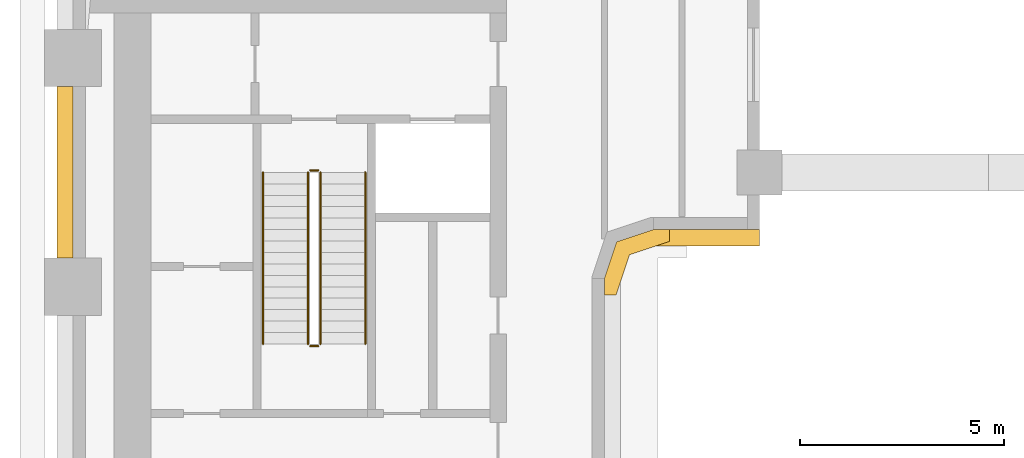
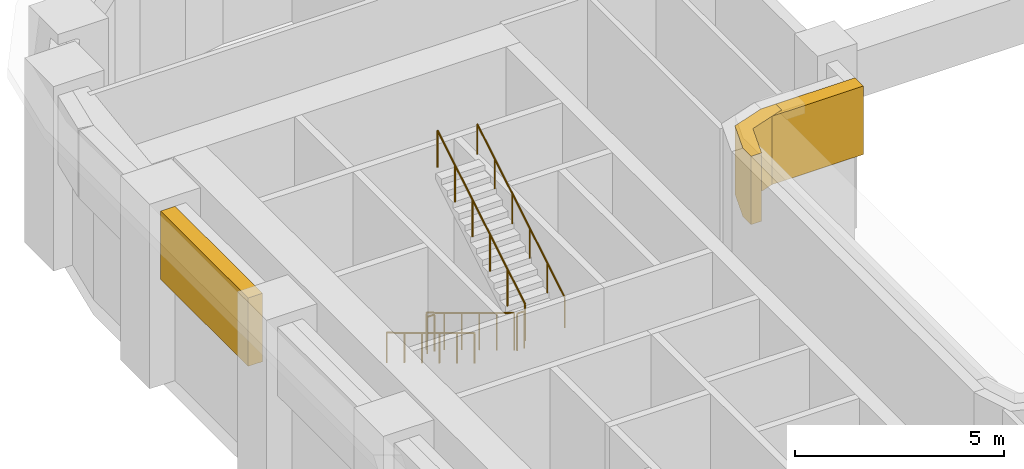
# One storey, part 10 of 14: 6 railings, 3 coverings.
"""IFC4 building model written with IfcOpenShell, lengths in metres."""

from ifc_helpers import new_model, si_unit, direction, frame, origin, origin_2d, place, context, subcontext, project, spatial, polyline, rectangle, circle, outline, extrude, material, type_object, element, save


model = new_model("IFC4")

# Units and contexts
model_context = context("Model", 3, precision=1e-05, world=origin(), true_north=direction((0.0, 1.0)))
body_context = subcontext(model_context, "Body", "Model", "MODEL_VIEW")
ifc_project = project(units=[si_unit("LENGTHUNIT", "METRE"), si_unit("AREAUNIT", "SQUARE_METRE"), si_unit("VOLUMEUNIT", "CUBIC_METRE"), si_unit("PLANEANGLEUNIT", "RADIAN"), si_unit("MASSUNIT", "GRAM", prefix="KILO")], contexts=[model_context])

# Site, building, storey
site_placement = place(None, origin())
site = spatial("IfcSite", under=ifc_project, at=site_placement, CompositionType="ELEMENT")
building_placement = place(site_placement, origin())
building = spatial("IfcBuilding", under=site, at=building_placement, Name="Kiln Ring Residences", CompositionType="ELEMENT")
storey_placement = place(building_placement, frame((0.0, 0.0, 77.89990234375)))
storey = spatial("IfcBuildingStorey", under=building, at=storey_placement, Name="L19", CompositionType="ELEMENT", Elevation=77.89990234375)

# Railings
ifc_material_1 = material(Name="Stainless steel", Category="steel")
railing_type_1 = type_object("IfcRailingType", Name="CORE-STAIR-GUARD", PredefinedType="GUARDRAIL", material=ifc_material_1)
railing_1_placement = place(storey_placement, frame((-22.25, 8.39990234375, 0.1689453125)))
element("IfcRailing", 1, at=railing_1_placement, inside=storey, type_object=railing_type_1, Name="L19 W-STN stair guard 1", PredefinedType="GUARDRAIL", context=body_context, shape_type="SweptSolid", body=[
    extrude(circle(Radius=0.02392578125, at=origin_2d()), frame((0.0, 0.0, 1.076171875), z_axis=(0.0, -0.856476492594, 0.516186030065), x_axis=(1.0, 0.0, 0.0)), (0.0, 0.0, 1.0), 4.90380859375),
    extrude(circle(Radius=0.02099609375, at=origin_2d()), origin(), (0.0, 0.0, 1.0), 1.052001953125),
    extrude(circle(Radius=0.02099609375, at=origin_2d()), frame((0.0, -0.840087890625, 0.50634765625)), (0.0, 0.0, 1.0), 1.052001953125),
    extrude(circle(Radius=0.02099609375, at=origin_2d()), frame((0.0, -1.679931640625, 1.012451171875)), (0.0, 0.0, 1.0), 1.052001953125),
    extrude(circle(Radius=0.02099609375, at=origin_2d()), frame((0.0, -2.52001953125, 1.518798828125)), (0.0, 0.0, 1.0), 1.052001953125),
    extrude(circle(Radius=0.02099609375, at=origin_2d()), frame((0.0, -3.35986328125, 2.02490234375)), (0.0, 0.0, 1.0), 1.052001953125),
    extrude(circle(Radius=0.02099609375, at=origin_2d()), frame((0.0, -4.199951171875, 2.53125)), (0.0, 0.0, 1.0), 1.052001953125),
])
railing_2_placement = place(storey_placement, frame((-22.199951171875, 4.14990234375, 2.7001953125)))
element("IfcRailing", 2, at=railing_2_placement, inside=storey, type_object=railing_type_1, Name="L19 W-STN stair guard 2", PredefinedType="GUARDRAIL", context=body_context, shape_type="SweptSolid", body=[
    extrude(circle(Radius=0.02392578125, at=origin_2d()), frame((0.0, 0.0, 1.076171875), z_axis=(1.0, 0.0, 0.0), x_axis=(0.0, 1.0, 0.0)), (0.0, 0.0, 1.0), 0.199951171875),
    extrude(circle(Radius=0.02099609375, at=origin_2d()), origin(), (0.0, 0.0, 1.0), 1.052001953125),
    extrude(circle(Radius=0.02099609375, at=origin_2d()), frame((0.199951171875, 0.0, 0.0)), (0.0, 0.0, 1.0), 1.052001953125),
])
railing_3_placement = place(storey_placement, frame((-21.949951171875, 4.199951171875, 2.868896484375)))
element("IfcRailing", 3, at=railing_3_placement, inside=storey, type_object=railing_type_1, Name="L19 W-STN stair guard 3", PredefinedType="GUARDRAIL", context=body_context, shape_type="SweptSolid", body=[
    extrude(circle(Radius=0.02392578125, at=origin_2d()), frame((0.0, 0.0, 1.076171875), z_axis=(0.0, 0.856476492594, 0.516186030065), x_axis=(-1.0, 0.0, 0.0)), (0.0, 0.0, 1.0), 4.90380859375),
    extrude(circle(Radius=0.02099609375, at=origin_2d()), origin(), (0.0, 0.0, 1.0), 1.052001953125),
    extrude(circle(Radius=0.02099609375, at=origin_2d()), frame((0.0, 0.840087890625, 0.50634765625)), (0.0, 0.0, 1.0), 1.052001953125),
    extrude(circle(Radius=0.02099609375, at=origin_2d()), frame((0.0, 1.679931640625, 1.012451171875)), (0.0, 0.0, 1.0), 1.052001953125),
    extrude(circle(Radius=0.02099609375, at=origin_2d()), frame((0.0, 2.52001953125, 1.518798828125)), (0.0, 0.0, 1.0), 1.052001953125),
    extrude(circle(Radius=0.02099609375, at=origin_2d()), frame((0.0, 3.35986328125, 2.02490234375)), (0.0, 0.0, 1.0), 1.052001953125),
    extrude(circle(Radius=0.02099609375, at=origin_2d()), frame((0.0, 4.199951171875, 2.53125)), (0.0, 0.0, 1.0), 1.052001953125),
])
railing_4_placement = place(storey_placement, frame((-22.199951171875, 8.449951171875, 0.0)))
element("IfcRailing", 4, at=railing_4_placement, inside=storey, type_object=railing_type_1, Name="L19 W-STN stair guard 4", PredefinedType="GUARDRAIL", context=body_context, shape_type="SweptSolid", body=[
    extrude(circle(Radius=0.02392578125, at=origin_2d()), frame((0.0, 0.0, 1.076171875), z_axis=(1.0, 0.0, 0.0), x_axis=(0.0, 1.0, 0.0)), (0.0, 0.0, 1.0), 0.199951171875),
    extrude(circle(Radius=0.02099609375, at=origin_2d()), origin(), (0.0, 0.0, 1.0), 1.052001953125),
    extrude(circle(Radius=0.02099609375, at=origin_2d()), frame((0.199951171875, 0.0, 0.0)), (0.0, 0.0, 1.0), 1.052001953125),
])
ifc_material_2 = material(Name="Stainless steel", Category="steel")
railing_type_2 = type_object("IfcRailingType", Name="CORE-STAIR-HANDRAIL", PredefinedType="HANDRAIL", material=ifc_material_2)
railing_5_placement = place(storey_placement, frame((-23.35009765625, 8.39990234375, 0.1689453125)))
element("IfcRailing", 5, at=railing_5_placement, inside=storey, type_object=railing_type_2, Name="L19 W-STN stair handrail 1", PredefinedType="HANDRAIL", context=body_context, shape_type="SweptSolid", body=[
    extrude(circle(Radius=0.02392578125, at=origin_2d()), frame((0.0, 0.0, 0.8759765625), z_axis=(0.0, -0.856476492594, 0.516186030065), x_axis=(1.0, 0.0, 0.0)), (0.0, 0.0, 1.0), 4.90380859375),
    extrude(circle(Radius=0.02099609375, at=origin_2d()), origin(), (0.0, 0.0, 1.0), 0.851806640625),
    extrude(circle(Radius=0.02099609375, at=origin_2d()), frame((0.0, -0.840087890625, 0.50634765625)), (0.0, 0.0, 1.0), 0.851806640625),
    extrude(circle(Radius=0.02099609375, at=origin_2d()), frame((0.0, -1.679931640625, 1.012451171875)), (0.0, 0.0, 1.0), 0.851806640625),
    extrude(circle(Radius=0.02099609375, at=origin_2d()), frame((0.0, -2.52001953125, 1.518798828125)), (0.0, 0.0, 1.0), 0.851806640625),
    extrude(circle(Radius=0.02099609375, at=origin_2d()), frame((0.0, -3.35986328125, 2.02490234375)), (0.0, 0.0, 1.0), 0.851806640625),
    extrude(circle(Radius=0.02099609375, at=origin_2d()), frame((0.0, -4.199951171875, 2.53125)), (0.0, 0.0, 1.0), 0.851806640625),
])
railing_6_placement = place(storey_placement, frame((-20.85009765625, 4.199951171875, 2.868896484375)))
element("IfcRailing", 6, at=railing_6_placement, inside=storey, type_object=railing_type_2, Name="L19 W-STN stair handrail 2", PredefinedType="HANDRAIL", context=body_context, shape_type="SweptSolid", body=[
    extrude(circle(Radius=0.02392578125, at=origin_2d()), frame((0.0, 0.0, 0.8759765625), z_axis=(0.0, 0.856476492594, 0.516186030065), x_axis=(-1.0, 0.0, 0.0)), (0.0, 0.0, 1.0), 4.90380859375),
    extrude(circle(Radius=0.02099609375, at=origin_2d()), origin(), (0.0, 0.0, 1.0), 0.851806640625),
    extrude(circle(Radius=0.02099609375, at=origin_2d()), frame((0.0, 0.840087890625, 0.50634765625)), (0.0, 0.0, 1.0), 0.851806640625),
    extrude(circle(Radius=0.02099609375, at=origin_2d()), frame((0.0, 1.679931640625, 1.012451171875)), (0.0, 0.0, 1.0), 0.851806640625),
    extrude(circle(Radius=0.02099609375, at=origin_2d()), frame((0.0, 2.52001953125, 1.518798828125)), (0.0, 0.0, 1.0), 0.851806640625),
    extrude(circle(Radius=0.02099609375, at=origin_2d()), frame((0.0, 3.35986328125, 2.02490234375)), (0.0, 0.0, 1.0), 0.851806640625),
    extrude(circle(Radius=0.02099609375, at=origin_2d()), frame((0.0, 4.199951171875, 2.53125)), (0.0, 0.0, 1.0), 0.851806640625),
])

# Coverings
ifc_material_3 = material(Name="Concrete C35/45, exposed aggregate finish", Category="concrete")
covering_type = type_object("IfcCoveringType", Name="TIE BAND 2000 x 400", PredefinedType="CLADDING", material=ifc_material_3)
covering_1_placement = place(storey_placement, frame((-12.5, 6.800048828125, 3.10009765625), z_axis=(0.0, 0.0, 1.0), x_axis=(1.0, 0.0, 0.0)))
element("IfcCovering", 7, at=covering_1_placement, inside=storey, type_object=covering_type, Name="TIE BAND L19", PredefinedType="CLADDING", context=body_context, shape_type="SweptSolid", body=[
    extrude(rectangle(XDim=2.60009765625, YDim=0.39990234375, at=origin_2d()), origin(), (0.0, 0.0, 1.0), 2.0),
])
covering_2_placement = place(storey_placement, frame((-28.199951171875, 8.39990234375, 3.10009765625), z_axis=(0.0, 0.0, 1.0), x_axis=(0.0, -1.0, 0.0)))
element("IfcCovering", 8, at=covering_2_placement, inside=storey, type_object=covering_type, Name="TIE BAND L19", PredefinedType="CLADDING", context=body_context, shape_type="SweptSolid", body=[
    extrude(rectangle(XDim=4.199951171875, YDim=0.39990234375, at=origin_2d()), origin(), (0.0, 0.0, 1.0), 2.0),
])
covering_3_placement = place(storey_placement, frame((0.0, 0.0, 3.10009765625)))
element("IfcCovering", 9, at=covering_3_placement, inside=storey, type_object=covering_type, Name="TIE BAND L19", PredefinedType="CLADDING", context=body_context, shape_type="SweptSolid", body=[
    extrude(outline(polyline([(-15.0, 5.800048828125), (-15.0, 5.39990234375), (-14.711669921875, 5.39990234375), (-14.3837890625, 6.3837890625), (-13.39990234375, 6.711669921875), (-13.39990234375, 7.0), (-13.800048828125, 7.0), (-14.699951171875, 6.699951171875), (-15.0, 5.800048828125)])), origin(), (0.0, 0.0, 1.0), 2.0),
])

save(model, "model.ifc")
